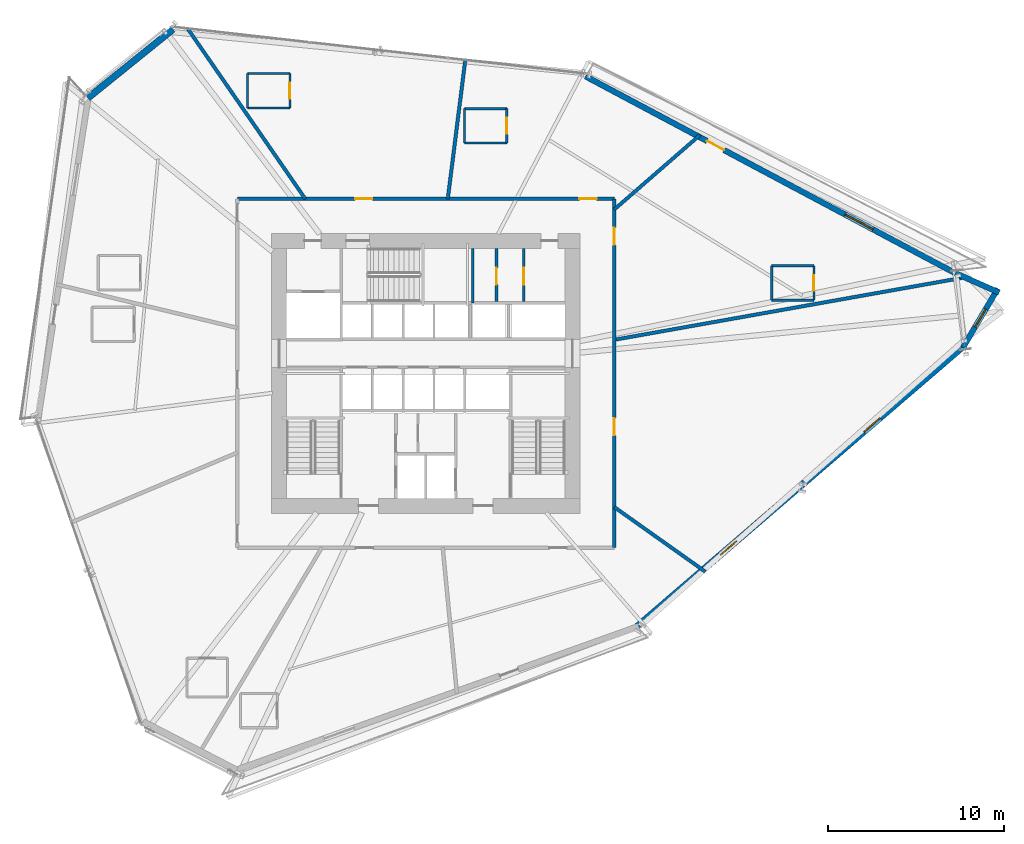
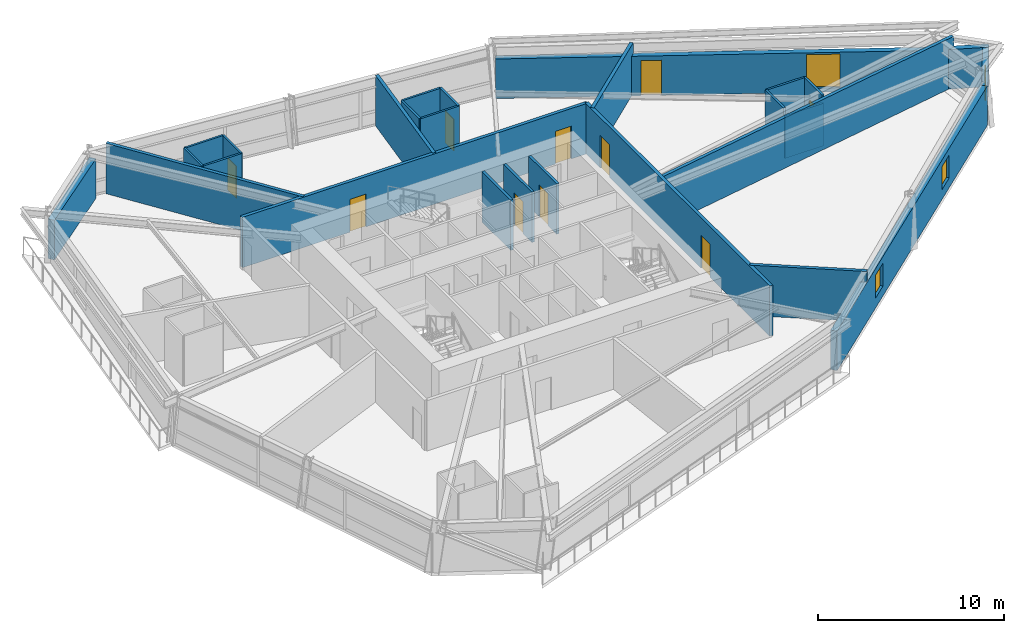
# One storey, part 17 of 22: 27 walls, 10 doors, 4 windows, 14 openings.
"""IFC4 building model written with IfcOpenShell, lengths in metres."""

from ifc_helpers import new_model, si_unit, direction, frame, frame_2d, origin, place, context, subcontext, project, spatial, rectangle, extrude, source, transform, mapped, material, layer, layer_set, type_object, type_shapes, element, fill, save


model = new_model("IFC4")

# Units and contexts
model_context = context("Model", 3, precision=1e-05, world=origin(), true_north=direction((0.0, 1.0)))
body_context = subcontext(model_context, "Body", "Model", "MODEL_VIEW")
ifc_project = project(units=[si_unit("LENGTHUNIT", "METRE"), si_unit("AREAUNIT", "SQUARE_METRE"), si_unit("VOLUMEUNIT", "CUBIC_METRE"), si_unit("PLANEANGLEUNIT", "RADIAN"), si_unit("MASSUNIT", "GRAM", prefix="KILO")], contexts=[model_context])

# Site, building, storey
site_placement = place(None, origin())
site = spatial("IfcSite", under=ifc_project, at=site_placement, CompositionType="ELEMENT")
building_placement = place(site_placement, origin())
building = spatial("IfcBuilding", under=site, at=building_placement, Name="Olszyna Solenne Hotel", CompositionType="ELEMENT")
storey_placement = place(building_placement, frame((0.0, 0.0, 61.25)))
storey = spatial("IfcBuildingStorey", under=building, at=storey_placement, Name="L15", CompositionType="ELEMENT", Elevation=61.25)

# Wall, openings, door, window
ifc_material_1 = material(Name="Precast concrete C45/55", Category="concrete")
ifc_layer_1 = layer(ifc_material_1, 0.320068359375, Name="Precast concrete C45/55")
ifc_layer_set_1 = layer_set([ifc_layer_1], Name="Precast concrete C45/55")
wall_type_1 = type_object("IfcWallType", Name="WL-EX320", PredefinedType="SOLIDWALL", material=ifc_layer_set_1)
wall_1_placement = place(storey_placement, frame((47.06982421875, 43.45703125, 0.0), z_axis=(0.0, 0.0, 1.0), x_axis=(0.882722296468, -0.469895038618, 0.0)))
wall_1 = element("IfcWall", 1, at=wall_1_placement, inside=storey, type_object=wall_type_1, Name="Exterior terracotta-precast frame wall WL-EX320 EW-L15-07", PredefinedType="SOLIDWALL", context=body_context, shape_type="SweptSolid", body=[
    extrude(rectangle(XDim=23.76904296875, YDim=0.320068359375, at=frame_2d((11.884521484375, 0.0))), origin(), (0.0, 0.0, 1.0), 2.592041015625),
])
opening_1_placement = place(wall_1_placement, frame((7.805908203125, 0.0, 0.0)))
opening_1 = element("IfcOpeningElement", 2, at=opening_1_placement, cuts=wall_1, Name="Opening LDG-L15-1", PredefinedType="OPENING", context=body_context, shape_type="SweptSolid", body=[
    extrude(rectangle(XDim=1.10009765625, YDim=2.300048828125, at=frame_2d((0.550048828125, 1.14990234375))), frame((0.0, 0.169921875, 0.0), z_axis=(0.0, -1.0, 0.0), x_axis=(1.0, 0.0, 0.0)), (0.0, 0.0, 1.0), 0.340087890625),
])
opening_2_placement = place(wall_1_placement, frame((16.68896484375, 0.0, 0.27197265625)))
opening_2 = element("IfcOpeningElement", 3, at=opening_2_placement, cuts=wall_1, Name="Opening WN-L15-070", PredefinedType="OPENING", context=body_context, shape_type="SweptSolid", body=[
    extrude(rectangle(XDim=1.800048828125, YDim=2.199951171875, at=frame_2d((0.89990234375, 1.10009765625))), frame((0.0, 0.169921875, 0.0), z_axis=(0.0, -1.0, 0.0), x_axis=(1.0, 0.0, 0.0)), (0.0, 0.0, 1.0), 0.340087890625),
])
ifc_material_2 = material(Name="Anodised bronze aluminium", Category="aluminium")
door_type_1 = type_object("IfcDoorType", Name="DR-LG1", OperationType="NOTDEFINED", PredefinedType="DOOR", material=ifc_material_2)
shared_shape_1 = source(origin(), body_context, "Body", "SweptSolid", [
    extrude(rectangle(XDim=1.10009765625, YDim=2.300048828125, at=frame_2d((0.550048828125, 1.14990234375))), frame((0.0, 0.02490234375, 0.0), z_axis=(0.0, -1.0, 0.0), x_axis=(1.0, 0.0, 0.0)), (0.0, 0.0, 1.0), 0.050048828125),
])
type_shapes(door_type_1, [shared_shape_1])
door_1_placement = place(opening_1_placement, origin())
door_1 = element("IfcDoor", 4, at=door_1_placement, inside=storey, type_object=door_type_1, Name="Exterior loggia balcony door DR-LG1 LDG-L15-1", OperationType="SINGLE_SWING_LEFT", OverallHeight=2.300048828125, OverallWidth=1.10009765625, PredefinedType="DOOR", context=body_context, shape_type="MappedRepresentation", body=[
    mapped(shared_shape_1, transform((0.0, 0.0, 0.0), x_axis=(1.0, 0.0, 0.0), y_axis=(0.0, 1.0, 0.0), z_axis=(0.0, 0.0, 1.0), scale=1.0)),
])
fill(opening_1, door_1)
ifc_material_3 = material(Name="Low-E triple glazing", Category="glass")
window_type_1 = type_object("IfcWindowType", Name="WN-HT1", PartitioningType="SINGLE_PANEL", PredefinedType="WINDOW", material=ifc_material_3)
shared_shape_2 = source(origin(), body_context, "Body", "SweptSolid", [
    extrude(rectangle(XDim=1.800048828125, YDim=2.199951171875, at=frame_2d((0.89990234375, 1.10009765625))), frame((0.0, 0.030029296875, 0.0), z_axis=(0.0, -1.0, 0.0), x_axis=(1.0, 0.0, 0.0)), (0.0, 0.0, 1.0), 0.06005859375),
])
type_shapes(window_type_1, [shared_shape_2])
window_1_placement = place(opening_2_placement, origin())
window_1 = element("IfcWindow", 5, at=window_1_placement, inside=storey, type_object=window_type_1, Name="Loggia room window WN-HT1 WN-L15-070", OverallHeight=2.199951171875, OverallWidth=1.800048828125, PartitioningType="SINGLE_PANEL", PredefinedType="WINDOW", context=body_context, shape_type="MappedRepresentation", body=[
    mapped(shared_shape_2, transform((0.0, 0.0, 0.0), x_axis=(1.0, 0.0, 0.0), y_axis=(0.0, 1.0, 0.0), z_axis=(0.0, 0.0, 1.0), scale=1.0)),
])
fill(opening_2, window_1)

# Wall
wall_2_placement = place(storey_placement, frame((68.061767578125, 32.282958984375, 0.0), z_axis=(0.0, 0.0, 1.0), x_axis=(0.914627210646, -0.404298238366, 0.0)))
element("IfcWall", 6, at=wall_2_placement, inside=storey, type_object=wall_type_1, Name="Exterior terracotta-precast frame wall WL-EX320 EW-L15-08", PredefinedType="SOLIDWALL", context=body_context, shape_type="SweptSolid", body=[
    extrude(rectangle(XDim=2.7216796875, YDim=0.320068359375, at=frame_2d((1.36083984375, 0.0))), origin(), (0.0, 0.0, 1.0), 2.592041015625),
])

# Wall, opening, window
wall_3_placement = place(storey_placement, frame((70.478271484375, 31.410400390625, 0.0), z_axis=(0.0, 0.0, 1.0), x_axis=(-0.51006357361, -0.86013670476, 0.0)))
wall_3 = element("IfcWall", 7, at=wall_3_placement, inside=storey, type_object=wall_type_1, Name="Exterior terracotta-precast frame wall WL-EX320 EW-L15-09", PredefinedType="SOLIDWALL", context=body_context, shape_type="SweptSolid", body=[
    extrude(rectangle(XDim=3.894287109375, YDim=0.320068359375, at=frame_2d((1.947265625, 0.0))), origin(), (0.0, 0.0, 1.0), 2.592041015625),
])
opening_3_placement = place(wall_3_placement, frame((1.346923828125, 0.0, 0.64990234375)))
opening_3 = element("IfcOpeningElement", 8, at=opening_3_placement, cuts=wall_3, Name="Opening WN-L15-071", PredefinedType="OPENING", context=body_context, shape_type="SweptSolid", body=[
    extrude(rectangle(XDim=1.199951171875, YDim=1.5, at=frame_2d((0.60009765625, 0.75))), frame((0.0, 0.169921875, 0.0), z_axis=(0.0, -1.0, 0.0), x_axis=(1.0, 0.0, 0.0)), (0.0, 0.0, 1.0), 0.340087890625),
])
window_type_2 = type_object("IfcWindowType", Name="WN-B1", PartitioningType="SINGLE_PANEL", PredefinedType="WINDOW", material=ifc_material_3)
shared_shape_3 = source(origin(), body_context, "Body", "SweptSolid", [
    extrude(rectangle(XDim=1.199951171875, YDim=1.5, at=frame_2d((0.60009765625, 0.75))), frame((0.0, 0.030029296875, 0.0), z_axis=(0.0, -1.0, 0.0), x_axis=(1.0, 0.0, 0.0)), (0.0, 0.0, 1.0), 0.06005859375),
])
type_shapes(window_type_2, [shared_shape_3])
window_2_placement = place(opening_3_placement, origin())
window_2 = element("IfcWindow", 9, at=window_2_placement, inside=storey, type_object=window_type_2, Name="Exterior facade window WN-B1 WN-L15-071", OverallHeight=1.5, OverallWidth=1.199951171875, PartitioningType="SINGLE_PANEL", PredefinedType="WINDOW", context=body_context, shape_type="MappedRepresentation", body=[
    mapped(shared_shape_3, transform((0.0, 0.0, 0.0), x_axis=(1.0, 0.0, 0.0), y_axis=(0.0, 1.0, 0.0), z_axis=(0.0, 0.0, 1.0), scale=1.0)),
])
fill(opening_3, window_2)

# Wall
ifc_material_4 = material(Name="Terracotta cladding on precast concrete C45/55", Category="masonry")
ifc_layer_2 = layer(ifc_material_4, 0.3798828125, Name="Terracotta cladding on precast concrete C45/55")
ifc_layer_set_2 = layer_set([ifc_layer_2], Name="Terracotta cladding on precast concrete C45/55")
wall_type_2 = type_object("IfcWallType", Name="WL-EX380", PredefinedType="SOLIDWALL", material=ifc_layer_set_2)
wall_4_placement = place(storey_placement, frame((18.816650390625, 42.22900390625, 0.0), z_axis=(0.0, 0.0, 1.0), x_axis=(0.778217687349, 0.627994610722, 0.0)))
element("IfcWall", 10, at=wall_4_placement, inside=storey, type_object=wall_type_2, Name="Exterior terracotta-precast frame wall WL-EX380 EW-L15-05", PredefinedType="SOLIDWALL", context=body_context, shape_type="SweptSolid", body=[
    extrude(rectangle(XDim=6.20654296875, YDim=0.3798828125, at=frame_2d((3.103271484375, 0.0))), origin(), (0.0, 0.0, 1.0), 2.592041015625),
])

# Wall, openings, windows
wall_5_placement = place(storey_placement, frame((68.505859375, 28.123291015625, 0.0), z_axis=(0.0, 0.0, 1.0), x_axis=(-0.758642837259, -0.651506750139, 0.0)))
wall_5 = element("IfcWall", 11, at=wall_5_placement, inside=storey, type_object=wall_type_2, Name="Exterior terracotta-precast frame wall WL-EX380 EW-L15-10", PredefinedType="SOLIDWALL", context=body_context, shape_type="SweptSolid", body=[
    extrude(rectangle(XDim=24.38525390625, YDim=0.3798828125, at=frame_2d((12.192626953125, 0.0))), origin(), (0.0, 0.0, 1.0), 2.592041015625),
])
opening_4_placement = place(wall_5_placement, frame((6.22802734375, 0.0, 0.64990234375)))
opening_4 = element("IfcOpeningElement", 12, at=opening_4_placement, cuts=wall_5, Name="Opening WN-L15-072", PredefinedType="OPENING", context=body_context, shape_type="SweptSolid", body=[
    extrude(rectangle(XDim=1.199951171875, YDim=1.5, at=frame_2d((0.60009765625, 0.75))), frame((0.0, 0.199951171875, 0.0), z_axis=(0.0, -1.0, 0.0), x_axis=(1.0, 0.0, 0.0)), (0.0, 0.0, 1.0), 0.39990234375),
])
opening_5_placement = place(wall_5_placement, frame((16.95703125, 0.0, 0.64990234375)))
opening_5 = element("IfcOpeningElement", 13, at=opening_5_placement, cuts=wall_5, Name="Opening WN-L15-073", PredefinedType="OPENING", context=body_context, shape_type="SweptSolid", body=[
    extrude(rectangle(XDim=1.199951171875, YDim=1.5, at=frame_2d((0.60009765625, 0.75))), frame((0.0, 0.199951171875, 0.0), z_axis=(0.0, -1.0, 0.0), x_axis=(1.0, 0.0, 0.0)), (0.0, 0.0, 1.0), 0.39990234375),
])
window_3_placement = place(opening_4_placement, origin())
window_3 = element("IfcWindow", 14, at=window_3_placement, inside=storey, type_object=window_type_2, Name="Exterior facade window WN-B1 WN-L15-072", OverallHeight=1.5, OverallWidth=1.199951171875, PartitioningType="SINGLE_PANEL", PredefinedType="WINDOW", context=body_context, shape_type="MappedRepresentation", body=[
    mapped(shared_shape_3, transform((0.0, 0.0, 0.0), x_axis=(1.0, 0.0, 0.0), y_axis=(0.0, 1.0, 0.0), z_axis=(0.0, 0.0, 1.0), scale=1.0)),
])
fill(opening_4, window_3)
window_4_placement = place(opening_5_placement, origin())
window_4 = element("IfcWindow", 15, at=window_4_placement, inside=storey, type_object=window_type_2, Name="Exterior facade window WN-B1 WN-L15-073", OverallHeight=1.5, OverallWidth=1.199951171875, PartitioningType="SINGLE_PANEL", PredefinedType="WINDOW", context=body_context, shape_type="MappedRepresentation", body=[
    mapped(shared_shape_3, transform((0.0, 0.0, 0.0), x_axis=(1.0, 0.0, 0.0), y_axis=(0.0, 1.0, 0.0), z_axis=(0.0, 0.0, 1.0), scale=1.0)),
])
fill(opening_5, window_4)

# Wall, opening, door
ifc_material_5 = material(Name="Acoustic gypsum partition", Category="gypsum")
ifc_layer_3 = layer(ifc_material_5, 0.125, Name="Acoustic gypsum partition")
ifc_layer_set_3 = layer_set([ifc_layer_3], Name="Acoustic gypsum partition")
wall_type_3 = type_object("IfcWallType", Name="WL-PT125", PredefinedType="PARTITIONING", material=ifc_layer_set_3)
wall_6_placement = place(storey_placement, frame((42.59912109375, 39.672119140625, 0.0), z_axis=(0.0, 0.0, 1.0), x_axis=(0.0, 1.0, 0.0)))
wall_6 = element("IfcWall", 16, at=wall_6_placement, inside=storey, type_object=wall_type_3, Name="Interior acoustic partition WL-PT125 PW-L15-0845", PredefinedType="PARTITIONING", context=body_context, shape_type="SweptSolid", body=[
    extrude(rectangle(XDim=1.949951171875, YDim=0.125, at=frame_2d((0.97509765625, 0.0))), origin(), (0.0, 0.0, 1.0), 3.300048828125),
])
opening_6_placement = place(wall_6_placement, frame((0.52490234375, 0.0, 0.0)))
opening_6 = element("IfcOpeningElement", 17, at=opening_6_placement, cuts=wall_6, Name="Opening DR-L15-0186", PredefinedType="OPENING", context=body_context, shape_type="SweptSolid", body=[
    extrude(rectangle(XDim=0.89990234375, YDim=2.10009765625, at=frame_2d((0.449951171875, 1.050048828125))), frame((0.0, 0.072509765625, 0.0), z_axis=(0.0, -1.0, 0.0), x_axis=(1.0, 0.0, 0.0)), (0.0, 0.0, 1.0), 0.14501953125),
])
ifc_material_6 = material(Name="Timber hardwood", Category="wood")
door_type_2 = type_object("IfcDoorType", Name="DR-WC1", OperationType="NOTDEFINED", PredefinedType="DOOR", material=ifc_material_6)
shared_shape_4 = source(origin(), body_context, "Body", "SweptSolid", [
    extrude(rectangle(XDim=0.89990234375, YDim=2.10009765625, at=frame_2d((0.449951171875, 1.050048828125))), frame((0.0, 0.02490234375, 0.0), z_axis=(0.0, -1.0, 0.0), x_axis=(1.0, 0.0, 0.0)), (0.0, 0.0, 1.0), 0.050048828125),
])
type_shapes(door_type_2, [shared_shape_4])
door_2_placement = place(opening_6_placement, origin())
door_2 = element("IfcDoor", 18, at=door_2_placement, inside=storey, type_object=door_type_2, Name="En-Suite Bathroom Door DR-L15-0186", OperationType="SINGLE_SWING_RIGHT", OverallHeight=2.10009765625, OverallWidth=0.89990234375, PredefinedType="DOOR", context=body_context, shape_type="MappedRepresentation", body=[
    mapped(shared_shape_4, transform((0.0, 0.0, 0.0), x_axis=(1.0, 0.0, 0.0), y_axis=(0.0, 1.0, 0.0), z_axis=(0.0, 0.0, 1.0), scale=1.0)),
])
fill(opening_6, door_2)

# Walls
wall_7_placement = place(storey_placement, frame((42.59912109375, 41.6220703125, 0.0), z_axis=(0.0, 0.0, 1.0), x_axis=(-1.0, 0.0, 0.0)))
element("IfcWall", 19, at=wall_7_placement, inside=storey, type_object=wall_type_3, Name="Interior acoustic partition WL-PT125 PW-L15-0846", PredefinedType="PARTITIONING", context=body_context, shape_type="SweptSolid", body=[
    extrude(rectangle(XDim=2.400146484375, YDim=0.125, at=frame_2d((1.2001953125, 0.0))), origin(), (0.0, 0.0, 1.0), 3.300048828125),
])
wall_8_placement = place(storey_placement, frame((40.198974609375, 41.6220703125, 0.0), z_axis=(0.0, 0.0, 1.0), x_axis=(0.0, -1.0, 0.0)))
element("IfcWall", 20, at=wall_8_placement, inside=storey, type_object=wall_type_3, Name="Interior acoustic partition WL-PT125 PW-L15-0847", PredefinedType="PARTITIONING", context=body_context, shape_type="SweptSolid", body=[
    extrude(rectangle(XDim=1.949951171875, YDim=0.125, at=frame_2d((0.97509765625, 0.0))), origin(), (0.0, 0.0, 1.0), 3.300048828125),
])
wall_9_placement = place(storey_placement, frame((40.198974609375, 39.672119140625, 0.0), z_axis=(0.0, 0.0, 1.0), x_axis=(1.0, 0.0, 0.0)))
element("IfcWall", 21, at=wall_9_placement, inside=storey, type_object=wall_type_3, Name="Interior acoustic partition WL-PT125 PW-L15-0848", PredefinedType="PARTITIONING", context=body_context, shape_type="SweptSolid", body=[
    extrude(rectangle(XDim=2.400146484375, YDim=0.125, at=frame_2d((1.2001953125, 0.0))), origin(), (0.0, 0.0, 1.0), 3.300048828125),
])

# Wall, opening, door
wall_10_placement = place(storey_placement, frame((30.281982421875, 41.666015625, 0.0), z_axis=(0.0, 0.0, 1.0), x_axis=(0.0, 1.0, 0.0)))
wall_10 = element("IfcWall", 22, at=wall_10_placement, inside=storey, type_object=wall_type_3, Name="Interior acoustic partition WL-PT125 PW-L15-0849", PredefinedType="PARTITIONING", context=body_context, shape_type="SweptSolid", body=[
    extrude(rectangle(XDim=1.949951171875, YDim=0.125, at=frame_2d((0.97509765625, 0.0))), origin(), (0.0, 0.0, 1.0), 3.300048828125),
])
opening_7_placement = place(wall_10_placement, frame((0.52490234375, 0.0, 0.0)))
opening_7 = element("IfcOpeningElement", 23, at=opening_7_placement, cuts=wall_10, Name="Opening DR-L15-0187", PredefinedType="OPENING", context=body_context, shape_type="SweptSolid", body=[
    extrude(rectangle(XDim=0.89990234375, YDim=2.10009765625, at=frame_2d((0.449951171875, 1.050048828125))), frame((0.0, 0.072509765625, 0.0), z_axis=(0.0, -1.0, 0.0), x_axis=(1.0, 0.0, 0.0)), (0.0, 0.0, 1.0), 0.14501953125),
])
door_3_placement = place(opening_7_placement, origin())
door_3 = element("IfcDoor", 24, at=door_3_placement, inside=storey, type_object=door_type_2, Name="En-Suite Bathroom Door DR-L15-0187", OperationType="SINGLE_SWING_RIGHT", OverallHeight=2.10009765625, OverallWidth=0.89990234375, PredefinedType="DOOR", context=body_context, shape_type="MappedRepresentation", body=[
    mapped(shared_shape_4, transform((0.0, 0.0, 0.0), x_axis=(1.0, 0.0, 0.0), y_axis=(0.0, 1.0, 0.0), z_axis=(0.0, 0.0, 1.0), scale=1.0)),
])
fill(opening_7, door_3)

# Walls
wall_11_placement = place(storey_placement, frame((30.281982421875, 43.615966796875, 0.0), z_axis=(0.0, 0.0, 1.0), x_axis=(-1.0, 0.0, 0.0)))
element("IfcWall", 25, at=wall_11_placement, inside=storey, type_object=wall_type_3, Name="Interior acoustic partition WL-PT125 PW-L15-0850", PredefinedType="PARTITIONING", context=body_context, shape_type="SweptSolid", body=[
    extrude(rectangle(XDim=2.39990234375, YDim=0.125, at=frame_2d((1.199951171875, 0.0))), origin(), (0.0, 0.0, 1.0), 3.300048828125),
])
wall_12_placement = place(storey_placement, frame((27.882080078125, 43.615966796875, 0.0), z_axis=(0.0, 0.0, 1.0), x_axis=(0.0, -1.0, 0.0)))
element("IfcWall", 26, at=wall_12_placement, inside=storey, type_object=wall_type_3, Name="Interior acoustic partition WL-PT125 PW-L15-0851", PredefinedType="PARTITIONING", context=body_context, shape_type="SweptSolid", body=[
    extrude(rectangle(XDim=1.949951171875, YDim=0.125, at=frame_2d((0.97509765625, 0.0))), origin(), (0.0, 0.0, 1.0), 3.300048828125),
])
wall_13_placement = place(storey_placement, frame((27.882080078125, 41.666015625, 0.0), z_axis=(0.0, 0.0, 1.0), x_axis=(1.0, 0.0, 0.0)))
element("IfcWall", 27, at=wall_13_placement, inside=storey, type_object=wall_type_3, Name="Interior acoustic partition WL-PT125 PW-L15-0852", PredefinedType="PARTITIONING", context=body_context, shape_type="SweptSolid", body=[
    extrude(rectangle(XDim=2.39990234375, YDim=0.125, at=frame_2d((1.199951171875, 0.0))), origin(), (0.0, 0.0, 1.0), 3.300048828125),
])

# Wall, opening, door
wall_14_placement = place(storey_placement, frame((60.031982421875, 30.7529296875, 0.0), z_axis=(0.0, 0.0, 1.0), x_axis=(0.0, 1.0, 0.0)))
wall_14 = element("IfcWall", 28, at=wall_14_placement, inside=storey, type_object=wall_type_3, Name="Interior acoustic partition WL-PT125 PW-L15-0869", PredefinedType="PARTITIONING", context=body_context, shape_type="SweptSolid", body=[
    extrude(rectangle(XDim=1.949951171875, YDim=0.125, at=frame_2d((0.97509765625, 0.0))), origin(), (0.0, 0.0, 1.0), 3.300048828125),
])
opening_8_placement = place(wall_14_placement, frame((0.52490234375, 0.0, 0.0)))
opening_8 = element("IfcOpeningElement", 29, at=opening_8_placement, cuts=wall_14, Name="Opening DR-L15-0192", PredefinedType="OPENING", context=body_context, shape_type="SweptSolid", body=[
    extrude(rectangle(XDim=0.89990234375, YDim=2.10009765625, at=frame_2d((0.449951171875, 1.050048828125))), frame((0.0, 0.072509765625, 0.0), z_axis=(0.0, -1.0, 0.0), x_axis=(1.0, 0.0, 0.0)), (0.0, 0.0, 1.0), 0.14501953125),
])
door_4_placement = place(opening_8_placement, origin())
door_4 = element("IfcDoor", 30, at=door_4_placement, inside=storey, type_object=door_type_2, Name="En-Suite Bathroom Door DR-L15-0192", OperationType="SINGLE_SWING_RIGHT", OverallHeight=2.10009765625, OverallWidth=0.89990234375, PredefinedType="DOOR", context=body_context, shape_type="MappedRepresentation", body=[
    mapped(shared_shape_4, transform((0.0, 0.0, 0.0), x_axis=(1.0, 0.0, 0.0), y_axis=(0.0, 1.0, 0.0), z_axis=(0.0, 0.0, 1.0), scale=1.0)),
])
fill(opening_8, door_4)

# Walls
wall_15_placement = place(storey_placement, frame((60.031982421875, 32.702880859375, 0.0), z_axis=(0.0, 0.0, 1.0), x_axis=(-1.0, 0.0, 0.0)))
element("IfcWall", 31, at=wall_15_placement, inside=storey, type_object=wall_type_3, Name="Interior acoustic partition WL-PT125 PW-L15-0870", PredefinedType="PARTITIONING", context=body_context, shape_type="SweptSolid", body=[
    extrude(rectangle(XDim=2.39990234375, YDim=0.125, at=frame_2d((1.199951171875, 0.0))), origin(), (0.0, 0.0, 1.0), 3.300048828125),
])
wall_16_placement = place(storey_placement, frame((57.632080078125, 32.702880859375, 0.0), z_axis=(0.0, 0.0, 1.0), x_axis=(0.0, -1.0, 0.0)))
element("IfcWall", 32, at=wall_16_placement, inside=storey, type_object=wall_type_3, Name="Interior acoustic partition WL-PT125 PW-L15-0871", PredefinedType="PARTITIONING", context=body_context, shape_type="SweptSolid", body=[
    extrude(rectangle(XDim=1.949951171875, YDim=0.125, at=frame_2d((0.97509765625, 0.0))), origin(), (0.0, 0.0, 1.0), 3.300048828125),
])
wall_17_placement = place(storey_placement, frame((57.632080078125, 30.7529296875, 0.0), z_axis=(0.0, 0.0, 1.0), x_axis=(1.0, 0.0, 0.0)))
element("IfcWall", 33, at=wall_17_placement, inside=storey, type_object=wall_type_3, Name="Interior acoustic partition WL-PT125 PW-L15-0872", PredefinedType="PARTITIONING", context=body_context, shape_type="SweptSolid", body=[
    extrude(rectangle(XDim=2.39990234375, YDim=0.125, at=frame_2d((1.199951171875, 0.0))), origin(), (0.0, 0.0, 1.0), 2.794921875),
])
ifc_layer_4 = layer(ifc_material_5, 0.159912109375, Name="Acoustic gypsum partition")
ifc_layer_set_4 = layer_set([ifc_layer_4], Name="Acoustic gypsum partition")
wall_type_4 = type_object("IfcWallType", Name="WL-PT160", PredefinedType="PARTITIONING", material=ifc_layer_set_4)
wall_18_placement = place(storey_placement, frame((40.659912109375, 30.60009765625, 0.0), z_axis=(0.0, 0.0, 1.0), x_axis=(0.0, 1.0, 0.0)))
element("IfcWall", 34, at=wall_18_placement, inside=storey, type_object=wall_type_4, Name="Core shaft compartment wall CW-L15-ST3E", PredefinedType="PARTITIONING", context=body_context, shape_type="SweptSolid", body=[
    extrude(rectangle(XDim=3.099853515625, YDim=0.159912109375, at=frame_2d((1.5498046875, 0.0))), origin(), (0.0, 0.0, 1.0), 3.300048828125),
])

# Wall, opening, door
wall_19_placement = place(storey_placement, frame((42.014892578125, 30.679931640625, 0.0), z_axis=(0.0, 0.0, 1.0), x_axis=(0.0, 1.0, 0.0)))
wall_19 = element("IfcWall", 35, at=wall_19_placement, inside=storey, type_object=wall_type_4, Name="Core shaft compartment wall CW-L15-BOH3A", PredefinedType="PARTITIONING", context=body_context, shape_type="SweptSolid", body=[
    extrude(rectangle(XDim=3.02001953125, YDim=0.159912109375, at=frame_2d((1.510009765625, 0.0))), origin(), (0.0, 0.0, 1.0), 3.300048828125),
])
opening_9_placement = place(wall_19_placement, frame((0.949951171875, 0.0, 0.0)))
opening_9 = element("IfcOpeningElement", 36, at=opening_9_placement, cuts=wall_19, Name="Opening SVD-L15-B31", PredefinedType="OPENING", context=body_context, shape_type="SweptSolid", body=[
    extrude(rectangle(XDim=0.949951171875, YDim=2.10009765625, at=frame_2d((0.47509765625, 1.050048828125))), frame((0.0, 0.08984375, 0.0), z_axis=(0.0, -1.0, 0.0), x_axis=(1.0, 0.0, 0.0)), (0.0, 0.0, 1.0), 0.179931640625),
])
ifc_material_7 = material(Name="Steel S355J2", Category="steel")
door_type_3 = type_object("IfcDoorType", Name="DR-SV1", OperationType="NOTDEFINED", PredefinedType="DOOR", material=ifc_material_7)
shared_shape_5 = source(origin(), body_context, "Body", "SweptSolid", [
    extrude(rectangle(XDim=0.949951171875, YDim=2.10009765625, at=frame_2d((0.47509765625, 1.050048828125))), frame((0.0, 0.02490234375, 0.0), z_axis=(0.0, -1.0, 0.0), x_axis=(1.0, 0.0, 0.0)), (0.0, 0.0, 1.0), 0.050048828125),
])
type_shapes(door_type_3, [shared_shape_5])
door_5_placement = place(opening_9_placement, origin())
door_5 = element("IfcDoor", 37, at=door_5_placement, inside=storey, type_object=door_type_3, Name="BOH inter-room fire door SVD-L15-B31", OperationType="SINGLE_SWING_LEFT", OverallHeight=2.10009765625, OverallWidth=0.949951171875, PredefinedType="DOOR", context=body_context, shape_type="MappedRepresentation", body=[
    mapped(shared_shape_5, transform((0.0, 0.0, 0.0), x_axis=(1.0, 0.0, 0.0), y_axis=(0.0, 1.0, 0.0), z_axis=(0.0, 0.0, 1.0), scale=1.0)),
])
fill(opening_9, door_5)

wall_20_placement = place(storey_placement, frame((43.554931640625, 30.679931640625, 0.0), z_axis=(0.0, 0.0, 1.0), x_axis=(0.0, 1.0, 0.0)))
wall_20 = element("IfcWall", 38, at=wall_20_placement, inside=storey, type_object=wall_type_4, Name="Core shaft compartment wall CW-L15-BOH3B", PredefinedType="PARTITIONING", context=body_context, shape_type="SweptSolid", body=[
    extrude(rectangle(XDim=3.02001953125, YDim=0.159912109375, at=frame_2d((1.510009765625, 0.0))), origin(), (0.0, 0.0, 1.0), 3.300048828125),
])
opening_10_placement = place(wall_20_placement, frame((0.949951171875, 0.0, 0.0)))
opening_10 = element("IfcOpeningElement", 39, at=opening_10_placement, cuts=wall_20, Name="Opening SVD-L15-B32", PredefinedType="OPENING", context=body_context, shape_type="SweptSolid", body=[
    extrude(rectangle(XDim=0.949951171875, YDim=2.10009765625, at=frame_2d((0.47509765625, 1.050048828125))), frame((0.0, 0.08984375, 0.0), z_axis=(0.0, -1.0, 0.0), x_axis=(1.0, 0.0, 0.0)), (0.0, 0.0, 1.0), 0.179931640625),
])
door_6_placement = place(opening_10_placement, origin())
door_6 = element("IfcDoor", 40, at=door_6_placement, inside=storey, type_object=door_type_3, Name="BOH inter-room fire door SVD-L15-B32", OperationType="SINGLE_SWING_LEFT", OverallHeight=2.10009765625, OverallWidth=0.949951171875, PredefinedType="DOOR", context=body_context, shape_type="MappedRepresentation", body=[
    mapped(shared_shape_5, transform((0.0, 0.0, 0.0), x_axis=(1.0, 0.0, 0.0), y_axis=(0.0, 1.0, 0.0), z_axis=(0.0, 0.0, 1.0), scale=1.0)),
])
fill(opening_10, door_6)

# Walls
ifc_layer_5 = layer(ifc_material_5, 0.199951171875, Name="Acoustic gypsum partition")
ifc_layer_set_5 = layer_set([ifc_layer_5], Name="Acoustic gypsum partition")
wall_type_5 = type_object("IfcWallType", Name="WL-PT200", PredefinedType="PARTITIONING", material=ifc_layer_set_5)
wall_21_placement = place(storey_placement, frame((48.699951171875, 35.9013671875, 0.0), z_axis=(0.0, 0.0, 1.0), x_axis=(0.754728336298, 0.656037451972, 0.0)))
element("IfcWall", 41, at=wall_21_placement, inside=storey, type_object=wall_type_5, Name="Interior acoustic partition WL-PT200 PW-L15-0836", PredefinedType="PARTITIONING", context=body_context, shape_type="SweptSolid", body=[
    extrude(rectangle(XDim=6.46142578125, YDim=0.199951171875, at=frame_2d((3.230712890625, 0.0))), origin(), (0.0, 0.0, 1.0), 3.300048828125),
])
wall_22_placement = place(storey_placement, frame((39.24755859375, 36.5, 0.0), z_axis=(0.0, 0.0, 1.0), x_axis=(0.125018186773, 0.992154450162, 0.0)))
element("IfcWall", 42, at=wall_22_placement, inside=storey, type_object=wall_type_5, Name="Interior acoustic partition WL-PT200 PW-L15-0837", PredefinedType="PARTITIONING", context=body_context, shape_type="SweptSolid", body=[
    extrude(rectangle(XDim=7.912841796875, YDim=0.199951171875, at=frame_2d((3.95654296875, 0.0))), origin(), (0.0, 0.0, 1.0), 3.300048828125),
])
wall_23_placement = place(storey_placement, frame((31.1611328125, 36.5, 0.0), z_axis=(0.0, 0.0, 1.0), x_axis=(-0.568362835672, 0.822778030229, 0.0)))
element("IfcWall", 43, at=wall_23_placement, inside=storey, type_object=wall_type_5, Name="Interior acoustic partition WL-PT200 PW-L15-0838", PredefinedType="PARTITIONING", context=body_context, shape_type="SweptSolid", body=[
    extrude(rectangle(XDim=11.708251953125, YDim=0.199951171875, at=frame_2d((5.85400390625, 0.0))), origin(), (0.0, 0.0, 1.0), 3.300048828125),
])
wall_24_placement = place(storey_placement, frame((48.699951171875, 19.006103515625, 0.0), z_axis=(0.0, 0.0, 1.0), x_axis=(0.815508318328, -0.578745352239, 0.0)))
element("IfcWall", 44, at=wall_24_placement, inside=storey, type_object=wall_type_5, Name="Interior acoustic partition WL-PT200 PW-L15-0843", PredefinedType="PARTITIONING", context=body_context, shape_type="SweptSolid", body=[
    extrude(rectangle(XDim=6.33447265625, YDim=0.199951171875, at=frame_2d((3.167236328125, 0.0))), origin(), (0.0, 0.0, 1.0), 3.300048828125),
])
wall_25_placement = place(storey_placement, frame((48.699951171875, 28.504150390625, 0.0), z_axis=(0.0, 0.0, 1.0), x_axis=(0.984531028139, 0.175210315425, 0.0)))
element("IfcWall", 45, at=wall_25_placement, inside=storey, type_object=wall_type_5, Name="Interior acoustic partition WL-PT200 PW-L15-0844", PredefinedType="PARTITIONING", context=body_context, shape_type="SweptSolid", body=[
    extrude(rectangle(XDim=20.444091796875, YDim=0.199951171875, at=frame_2d((10.22216796875, 0.0))), origin(), (0.0, 0.0, 1.0), 3.300048828125),
])

# Wall, openings, doors
wall_26_placement = place(storey_placement, frame((27.300048828125, 36.5, 0.0), z_axis=(0.0, 0.0, 1.0), x_axis=(1.0, 0.0, 0.0)))
wall_26 = element("IfcWall", 46, at=wall_26_placement, inside=storey, type_object=wall_type_5, Name="Interior acoustic partition WL-PT200 PW-L15-0875", PredefinedType="PARTITIONING", context=body_context, shape_type="SweptSolid", body=[
    extrude(rectangle(XDim=21.39990234375, YDim=0.199951171875, at=frame_2d((10.699951171875, 0.0))), origin(), (0.0, 0.0, 1.0), 3.300048828125),
])
opening_11_placement = place(wall_26_placement, frame((19.4140625, 0.0, 0.0)))
opening_11 = element("IfcOpeningElement", 47, at=opening_11_placement, cuts=wall_26, Name="Opening DR-L15-0198", PredefinedType="OPENING", context=body_context, shape_type="SweptSolid", body=[
    extrude(rectangle(XDim=0.97998046875, YDim=2.14990234375, at=frame_2d((0.489990234375, 1.074951171875))), frame((0.0, 0.10986328125, 0.0), z_axis=(0.0, -1.0, 0.0), x_axis=(1.0, 0.0, 0.0)), (0.0, 0.0, 1.0), 0.219970703125),
])
opening_12_placement = place(wall_26_placement, frame((6.681884765625, 0.0, 0.0)))
opening_12 = element("IfcOpeningElement", 48, at=opening_12_placement, cuts=wall_26, Name="Opening DR-L15-0199", PredefinedType="OPENING", context=body_context, shape_type="SweptSolid", body=[
    extrude(rectangle(XDim=0.97998046875, YDim=2.14990234375, at=frame_2d((0.489990234375, 1.074951171875))), frame((0.0, 0.10986328125, 0.0), z_axis=(0.0, -1.0, 0.0), x_axis=(1.0, 0.0, 0.0)), (0.0, 0.0, 1.0), 0.219970703125),
])
door_type_4 = type_object("IfcDoorType", Name="DR-RM1", OperationType="NOTDEFINED", PredefinedType="DOOR", material=ifc_material_6)
shared_shape_6 = source(origin(), body_context, "Body", "SweptSolid", [
    extrude(rectangle(XDim=0.97998046875, YDim=2.14990234375, at=frame_2d((0.489990234375, 1.074951171875))), frame((0.0, 0.02490234375, 0.0), z_axis=(0.0, -1.0, 0.0), x_axis=(1.0, 0.0, 0.0)), (0.0, 0.0, 1.0), 0.050048828125),
])
type_shapes(door_type_4, [shared_shape_6])
door_7_placement = place(opening_11_placement, origin())
door_7 = element("IfcDoor", 49, at=door_7_placement, inside=storey, type_object=door_type_4, Name="Premier King Suite Entrance Door DR-L15-0198", OperationType="SINGLE_SWING_RIGHT", OverallHeight=2.14990234375, OverallWidth=0.97998046875, PredefinedType="DOOR", context=body_context, shape_type="MappedRepresentation", body=[
    mapped(shared_shape_6, transform((0.0, 0.0, 0.0), x_axis=(1.0, 0.0, 0.0), y_axis=(0.0, 1.0, 0.0), z_axis=(0.0, 0.0, 1.0), scale=1.0)),
])
fill(opening_11, door_7)
door_8_placement = place(opening_12_placement, origin())
door_8 = element("IfcDoor", 50, at=door_8_placement, inside=storey, type_object=door_type_4, Name="Premier King Suite Entrance Door DR-L15-0199", OperationType="SINGLE_SWING_LEFT", OverallHeight=2.14990234375, OverallWidth=0.97998046875, PredefinedType="DOOR", context=body_context, shape_type="MappedRepresentation", body=[
    mapped(shared_shape_6, transform((0.0, 0.0, 0.0), x_axis=(1.0, 0.0, 0.0), y_axis=(0.0, 1.0, 0.0), z_axis=(0.0, 0.0, 1.0), scale=1.0)),
])
fill(opening_12, door_8)

wall_27_placement = place(storey_placement, frame((48.699951171875, 16.699951171875, 0.0), z_axis=(0.0, 0.0, 1.0), x_axis=(0.0, 1.0, 0.0)))
wall_27 = element("IfcWall", 51, at=wall_27_placement, inside=storey, type_object=wall_type_5, Name="Interior acoustic partition WL-PT200 PW-L15-0876", PredefinedType="PARTITIONING", context=body_context, shape_type="SweptSolid", body=[
    extrude(rectangle(XDim=19.800048828125, YDim=0.199951171875, at=frame_2d((9.89990234375, 0.0))), origin(), (0.0, 0.0, 1.0), 3.300048828125),
])
opening_13_placement = place(wall_27_placement, frame((6.3779296875, 0.0, 0.0)))
opening_13 = element("IfcOpeningElement", 52, at=opening_13_placement, cuts=wall_27, Name="Opening DR-L15-0200", PredefinedType="OPENING", context=body_context, shape_type="SweptSolid", body=[
    extrude(rectangle(XDim=0.97998046875, YDim=2.14990234375, at=frame_2d((0.489990234375, 1.074951171875))), frame((0.0, 0.10986328125, 0.0), z_axis=(0.0, -1.0, 0.0), x_axis=(1.0, 0.0, 0.0)), (0.0, 0.0, 1.0), 0.219970703125),
])
opening_14_placement = place(wall_27_placement, frame((17.196044921875, 0.0, 0.0)))
opening_14 = element("IfcOpeningElement", 53, at=opening_14_placement, cuts=wall_27, Name="Opening DR-L15-0201", PredefinedType="OPENING", context=body_context, shape_type="SweptSolid", body=[
    extrude(rectangle(XDim=0.97998046875, YDim=2.14990234375, at=frame_2d((0.489990234375, 1.074951171875))), frame((0.0, 0.10986328125, 0.0), z_axis=(0.0, -1.0, 0.0), x_axis=(1.0, 0.0, 0.0)), (0.0, 0.0, 1.0), 0.219970703125),
])
door_9_placement = place(opening_13_placement, origin())
door_9 = element("IfcDoor", 54, at=door_9_placement, inside=storey, type_object=door_type_4, Name="Boutique Art Gallery Entrance Door DR-L15-0200", OperationType="SINGLE_SWING_LEFT", OverallHeight=2.14990234375, OverallWidth=0.97998046875, PredefinedType="DOOR", context=body_context, shape_type="MappedRepresentation", body=[
    mapped(shared_shape_6, transform((0.0, 0.0, 0.0), x_axis=(1.0, 0.0, 0.0), y_axis=(0.0, 1.0, 0.0), z_axis=(0.0, 0.0, 1.0), scale=1.0)),
])
fill(opening_13, door_9)
door_10_placement = place(opening_14_placement, origin())
door_10 = element("IfcDoor", 55, at=door_10_placement, inside=storey, type_object=door_type_4, Name="Executive Reading Salon Entrance Door DR-L15-0201", OperationType="SINGLE_SWING_RIGHT", OverallHeight=2.14990234375, OverallWidth=0.97998046875, PredefinedType="DOOR", context=body_context, shape_type="MappedRepresentation", body=[
    mapped(shared_shape_6, transform((0.0, 0.0, 0.0), x_axis=(1.0, 0.0, 0.0), y_axis=(0.0, 1.0, 0.0), z_axis=(0.0, 0.0, 1.0), scale=1.0)),
])
fill(opening_14, door_10)

save(model, "model.ifc")
